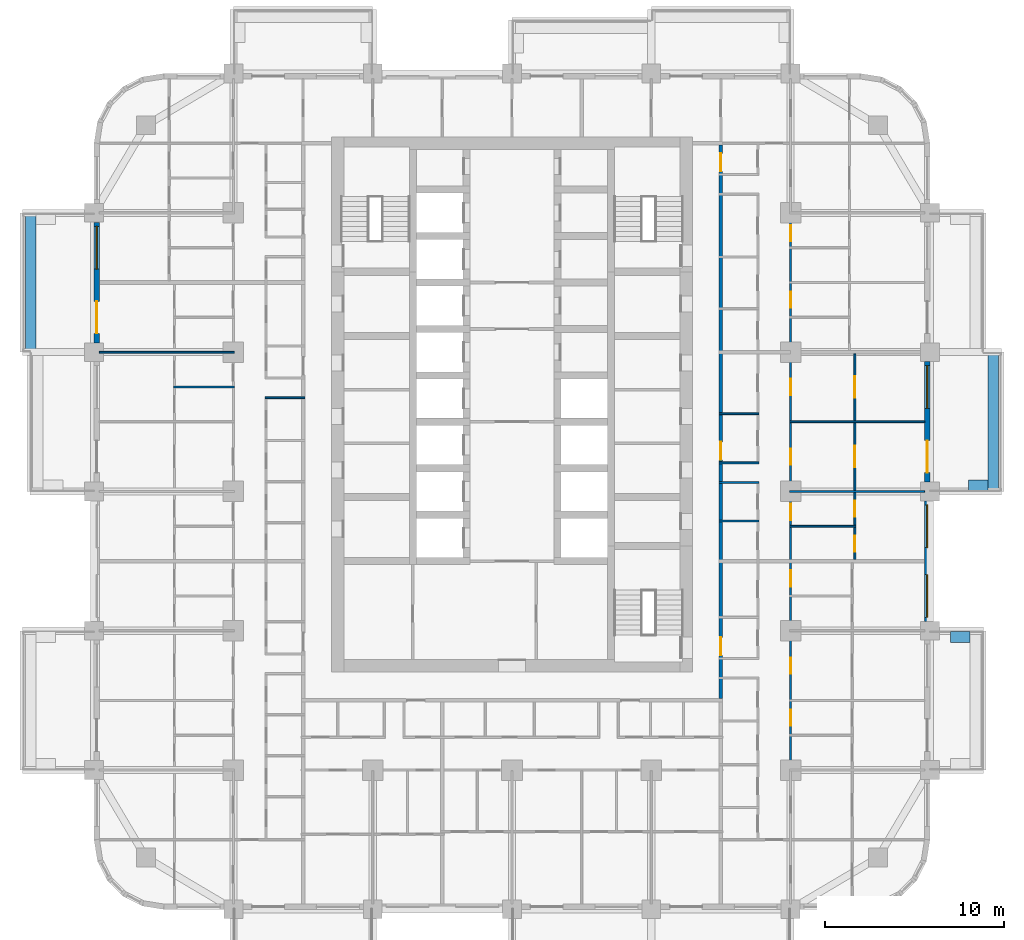
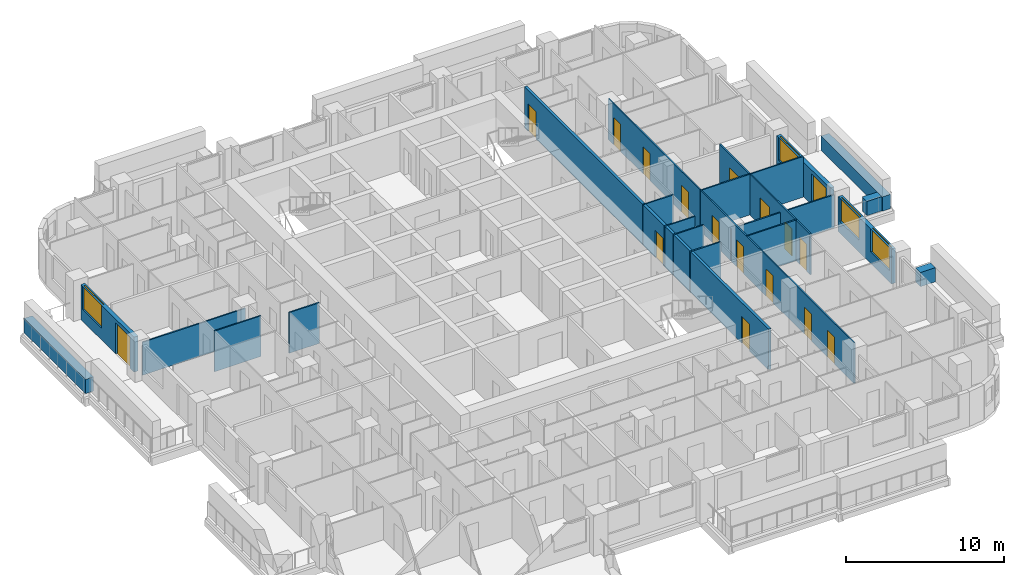
# One storey, part 9 of 18: 20 walls, 17 doors, 4 windows, 21 openings.
"""IFC4 building model written with IfcOpenShell, lengths in metres."""

import ifcopenshell
import ifcopenshell.guid

model = None  # the IFC model being written
_history = None  # IfcOwnerHistory: only IFC2X3 demands one
_inside = {}  # id of a spatial element -> (the spatial element, [elements in it])
_under = {}  # id of a project, library or spatial element -> (it, [spatial elements below it])
_declared = {}  # id of a project -> (the project, [libraries it declares])
_typed = {}  # id of a type object -> (the type object, [elements of that type])
_made_of = {}  # id of a material, layer set ... -> (it, [elements and type objects made of it])


def new_model(schema):
    """Start an empty IFC model of exactly this schema.

    Asked for "IFC4X3", IfcOpenShell would pick the latest addendum, in which some entities
    have other attributes; the version numbers below select the first issue.
    IFC2X3 requires an IfcOwnerHistory on every rooted entity: one is made here for all.
    """
    global model, _history
    if schema == "IFC4X3":
        model = ifcopenshell.file(schema_version=(4, 3, 0, 0))
    else:
        model = ifcopenshell.file(schema=schema)
    _inside.clear()
    _under.clear()
    _declared.clear()
    _typed.clear()
    _made_of.clear()
    _history = None
    if model.schema == "IFC2X3":
        org = make("IfcOrganization", Name="unknown")
        user = make(
            "IfcPersonAndOrganization",
            ThePerson=make("IfcPerson", FamilyName="unknown"),
            TheOrganization=org,
        )
        app = make(
            "IfcApplication",
            ApplicationDeveloper=org,
            Version="unknown",
            ApplicationFullName="unknown",
            ApplicationIdentifier="unknown",
        )
        _history = make(
            "IfcOwnerHistory",
            OwningUser=user,
            OwningApplication=app,
            ChangeAction="ADDED",
            CreationDate=0,
        )
    return model


def make(cls, **values):
    """One entity of the class cls with the attributes given. An attribute that is None is left unset."""
    return model.create_entity(
        cls, **{name: value for name, value in values.items() if value is not None}
    )


def rooted(cls, **values):
    """An entity with a GlobalId (a new one), such as an element, a storey or a relation."""
    return make(cls, GlobalId=ifcopenshell.guid.new(), OwnerHistory=_history, **values)


def si_unit(unit_type, name, prefix=None):
    """IfcSIUnit, for example si_unit("LENGTHUNIT", "METRE", prefix="MILLI")."""
    return make("IfcSIUnit", UnitType=unit_type, Prefix=prefix, Name=name)


def assignment(units):
    """IfcUnitAssignment: the units of a project."""
    return None if units is None else make("IfcUnitAssignment", Units=units)


def point(xyz):
    """IfcCartesianPoint."""
    return None if xyz is None else make("IfcCartesianPoint", Coordinates=xyz)


def direction(xyz):
    """IfcDirection."""
    return None if xyz is None else make("IfcDirection", DirectionRatios=xyz)


def frame(location, z_axis=None, x_axis=None):
    """IfcAxis2Placement3D, a coordinate frame: its origin and axes. An axis left out is left unset."""
    return make(
        "IfcAxis2Placement3D",
        Location=point(location),
        Axis=direction(z_axis),
        RefDirection=direction(x_axis),
    )


def frame_2d(location, x_axis=None):
    """IfcAxis2Placement2D, a coordinate frame in the plane: its origin and x axis."""
    return make(
        "IfcAxis2Placement2D", Location=point(location), RefDirection=direction(x_axis)
    )


def origin():
    """The frame at (0, 0, 0) with its axes left unset."""
    return frame((0.0, 0.0, 0.0))


def place(relative_to, where):
    """IfcLocalPlacement: puts the frame where relative to a parent placement (None: the world)."""
    return make(
        "IfcLocalPlacement", PlacementRelTo=relative_to, RelativePlacement=where
    )


def context(
    kind, dimensions, precision=None, world=None, true_north=None, identifier=None
):
    """IfcGeometricRepresentationContext, for example the 3D "Model" context."""
    return make(
        "IfcGeometricRepresentationContext",
        ContextIdentifier=identifier,
        ContextType=kind,
        CoordinateSpaceDimension=dimensions,
        Precision=precision,
        WorldCoordinateSystem=world,
        TrueNorth=true_north,
    )


def subcontext(parent, identifier, kind, view, scale=None):
    """IfcGeometricRepresentationSubContext, for example "Body" below "Model"."""
    return make(
        "IfcGeometricRepresentationSubContext",
        ContextIdentifier=identifier,
        ContextType=kind,
        ParentContext=parent,
        TargetScale=scale,
        TargetView=view,
    )


def project(units=None, contexts=None):
    """IfcProject with its units and contexts."""
    return rooted(
        "IfcProject",
        Name="project",
        RepresentationContexts=contexts,
        UnitsInContext=assignment(units),
    )


def spatial(cls, under=None, at=None, **own):
    """A site, building, storey or space (cls), placed at a placement, below another one or the project."""
    s = rooted(cls, ObjectPlacement=at, **own)
    if under is not None:
        _under.setdefault(under.id(), (under, []))[1].append(s)
    return s


def profile(cls, at=None, kind="AREA", **sizes):
    """A parametric profile (cls). Its sizes go by their IFC names, for example OverallWidth=200.0."""
    return make(cls, ProfileType=kind, Position=at, **sizes)


def rectangle(**sizes):
    """IfcRectangleProfileDef."""
    return profile("IfcRectangleProfileDef", **sizes)


def extrude(swept, where, along, depth):
    """IfcExtrudedAreaSolid: the profile swept, set in the frame where, extruded along a direction by depth."""
    return make(
        "IfcExtrudedAreaSolid",
        SweptArea=swept,
        Position=where,
        ExtrudedDirection=direction(along),
        Depth=depth,
    )


def shape(context_of_items, identifier, shape_type, items):
    """IfcShapeRepresentation: the items that make up one representation, for example the "Body"."""
    return make(
        "IfcShapeRepresentation",
        ContextOfItems=context_of_items,
        RepresentationIdentifier=identifier,
        RepresentationType=shape_type,
        Items=items,
    )


def material(Name=None, Category=None):
    """IfcMaterial."""
    return make("IfcMaterial", Name=Name, Category=Category)


def layer(
    of_material, thickness, ventilated=None, Name=None, Category=None, Priority=None
):
    """IfcMaterialLayer: one layer of a wall or slab, of a material (None: an air gap)."""
    return make(
        "IfcMaterialLayer",
        Material=of_material,
        LayerThickness=thickness,
        IsVentilated=ventilated,
        Name=Name,
        Category=Category,
        Priority=Priority,
    )


def layer_set(layers, Name=None):
    """IfcMaterialLayerSet."""
    return make("IfcMaterialLayerSet", MaterialLayers=layers, LayerSetName=Name)


def made_of(thing, what):
    """Note that an element or type object is made of a material, layer set ...; save() writes the relation."""
    if what is not None:
        _made_of.setdefault(what.id(), (what, []))[1].append(thing)
    return thing


def type_object(cls, material=None, **own):
    """A type object (cls), such as IfcWallType, which elements share."""
    return made_of(rooted(cls, **own), material)


def element(
    cls,
    number,
    at=None,
    inside=None,
    cuts=None,
    type_object=None,
    material=None,
    context=None,
    identifier="Body",
    shape_type=None,
    held_by="IfcProductDefinitionShape",
    body=None,
    shapes=None,
    **own,
):
    """One element of the class cls, such as IfcWall. Its Tag is "e" and its number.

    at: its placement. inside: the storey or other place that contains it. cuts: it is an
    opening in that element (IfcRelVoidsElement). A single representation is given by context,
    identifier, shape_type and body (its items); several are given by shapes. held_by: the class
    of the entity that holds the representations. save() writes the other relations.
    """
    e = rooted(cls, Tag="e%d" % number, ObjectPlacement=at, **own)
    if body is not None:
        shapes = [shape(context, identifier, shape_type, body)]
    if shapes is not None:
        e.Representation = make(held_by, Representations=shapes)
    if inside is not None:
        _inside.setdefault(inside.id(), (inside, []))[1].append(e)
    if cuts is not None:
        rooted(
            "IfcRelVoidsElement", RelatingBuildingElement=cuts, RelatedOpeningElement=e
        )
    if type_object is not None:
        _typed.setdefault(type_object.id(), (type_object, []))[1].append(e)
    return made_of(e, material)


def fill(opening, filler):
    """IfcRelFillsElement: the door or window that sits in an opening."""
    return rooted(
        "IfcRelFillsElement",
        RelatingOpeningElement=opening,
        RelatedBuildingElement=filler,
    )


def aggregate(whole, parts):
    """IfcRelAggregates: a whole, such as a stair, and the parts it consists of."""
    return rooted("IfcRelAggregates", RelatingObject=whole, RelatedObjects=parts)


def save(model, path):
    """Write the relations noted so far, then the file.

    IfcRelAggregates (storeys below a building ...), IfcRelContainedInSpatialStructure (elements
    in a storey), IfcRelDefinesByType, IfcRelAssociatesMaterial and IfcRelDeclares: one each for
    every whole, place, type object, material and project.
    """
    for whole, parts in _under.values():
        aggregate(whole, parts)
    for where, things in _inside.values():
        rooted(
            "IfcRelContainedInSpatialStructure",
            RelatedElements=things,
            RelatingStructure=where,
        )
    for kind, things in _typed.values():
        rooted("IfcRelDefinesByType", RelatedObjects=things, RelatingType=kind)
    for what, things in _made_of.values():
        rooted("IfcRelAssociatesMaterial", RelatedObjects=things, RelatingMaterial=what)
    for by, libraries in _declared.values():
        rooted("IfcRelDeclares", RelatingContext=by, RelatedDefinitions=libraries)
    model.write(path)


model = new_model("IFC4")

# Units and contexts
model_context = context("Model", 3, precision=1e-05, world=origin(), true_north=direction((0.0, 1.0)))
body_context = subcontext(model_context, "Body", "Model", "MODEL_VIEW")
ifc_project = project(units=[si_unit("LENGTHUNIT", "METRE"), si_unit("AREAUNIT", "SQUARE_METRE"), si_unit("VOLUMEUNIT", "CUBIC_METRE"), si_unit("PLANEANGLEUNIT", "RADIAN"), si_unit("MASSUNIT", "GRAM", prefix="KILO")], contexts=[model_context])

# Site, building, storey
site_placement = place(None, origin())
site = spatial("IfcSite", under=ifc_project, at=site_placement, CompositionType="ELEMENT")
building_placement = place(site_placement, origin())
building = spatial("IfcBuilding", under=site, at=building_placement, Name="Ludao Terraces", CompositionType="ELEMENT")
storey_placement = place(building_placement, frame((0.0, 0.0, 29.699951171875)))
storey = spatial("IfcBuildingStorey", under=building, at=storey_placement, Name="L07", CompositionType="ELEMENT", Elevation=29.699951171875)

# Walls
ifc_material_1 = material(Name="Concrete C40", Category="concrete")
ifc_layer_1 = layer(ifc_material_1, 0.60009765625)
ifc_layer_set_1 = layer_set([ifc_layer_1], Name="ENV Planter trough 600")
wall_type_1 = type_object("IfcWallType", Name="ENV Planter trough 600", PredefinedType="USERDEFINED", material=ifc_layer_set_1)
wall_1_placement = place(storey_placement, frame((110.64990234375, 56.85009765625, 0.0), z_axis=(0.0, 0.0, 1.0), x_axis=(-1.0, 0.0, 0.0)))
element("IfcWall", 1, at=wall_1_placement, inside=storey, type_object=wall_type_1, Name="PL-L07-E1-SB", ObjectType="PLANTER", PredefinedType="USERDEFINED", context=body_context, shape_type="SweptSolid", body=[
    extrude(rectangle(XDim=1.099853515625, YDim=0.60009765625, at=frame_2d((0.5498046875, 0.0))), origin(), (0.0, 0.0, 1.0), 1.10009765625),
])
wall_2_placement = place(storey_placement, frame((111.949951171875, 65.0, 0.0), z_axis=(0.0, 0.0, 1.0), x_axis=(0.0, 1.0, 0.0)))
element("IfcWall", 2, at=wall_2_placement, inside=storey, type_object=wall_type_1, Name="PL-L07-E3", ObjectType="PLANTER", PredefinedType="USERDEFINED", context=body_context, shape_type="SweptSolid", body=[
    extrude(rectangle(XDim=7.800048828125, YDim=0.60009765625, at=frame_2d((3.89990234375, 0.0))), origin(), (0.0, 0.0, 1.0), 1.10009765625),
])
wall_3_placement = place(storey_placement, frame((111.64990234375, 65.35009765625, 0.0), z_axis=(0.0, 0.0, 1.0), x_axis=(-1.0, 0.0, 0.0)))
element("IfcWall", 3, at=wall_3_placement, inside=storey, type_object=wall_type_1, Name="PL-L07-E3-SA", ObjectType="PLANTER", PredefinedType="USERDEFINED", context=body_context, shape_type="SweptSolid", body=[
    extrude(rectangle(XDim=1.099853515625, YDim=0.60009765625, at=frame_2d((0.5498046875, 0.0))), origin(), (0.0, 0.0, 1.0), 1.10009765625),
])
wall_4_placement = place(storey_placement, frame((58.050048828125, 72.800048828125, 0.0), z_axis=(0.0, 0.0, 1.0), x_axis=(0.0, 1.0, 0.0)))
element("IfcWall", 4, at=wall_4_placement, inside=storey, type_object=wall_type_1, Name="PL-L07-W4", ObjectType="PLANTER", PredefinedType="USERDEFINED", context=body_context, shape_type="SweptSolid", body=[
    extrude(rectangle(XDim=7.800048828125, YDim=0.60009765625, at=frame_2d((3.89990234375, 0.0))), origin(), (0.0, 0.0, 1.0), 1.10009765625),
])

# Wall, openings, windows
ifc_material_2 = material(Name="Granite cladding", Category="masonry")
ifc_layer_2 = layer(ifc_material_2, 0.0400390625, Category="stone")
ifc_material_3 = material(Name="Mineral wool")
ifc_layer_3 = layer(ifc_material_3, 0.06005859375)
ifc_layer_4 = layer(ifc_material_1, 0.199951171875, Category="concrete")
ifc_layer_set_2 = layer_set([ifc_layer_2, ifc_layer_3, ifc_layer_4], Name="ENV Stone-clad wall 300")
wall_type_2 = type_object("IfcWallType", Name="ENV Stone-clad wall 300", PredefinedType="SOLIDWALL", material=ifc_layer_set_2)
wall_5_placement = place(storey_placement, frame((108.25, 57.72509765625, 0.0), z_axis=(0.0, 0.0, 1.0), x_axis=(0.0, 1.0, 0.0)))
wall_5 = element("IfcWall", 5, at=wall_5_placement, inside=storey, type_object=wall_type_2, Name="EW-L07-E3", PredefinedType="SOLIDWALL", context=body_context, shape_type="SweptSolid", body=[
    extrude(rectangle(XDim=6.75, YDim=0.300048828125, at=frame_2d((3.375, 0.0))), origin(), (0.0, 0.0, 1.0), 2.699951171875),
])
opening_1_placement = place(wall_5_placement, frame((0.22509765625, 0.0, 0.89990234375)))
opening_1 = element("IfcOpeningElement", 6, at=opening_1_placement, cuts=wall_5, Name="Opening W1", PredefinedType="OPENING", context=body_context, shape_type="SweptSolid", body=[
    extrude(rectangle(XDim=2.39990234375, YDim=1.800048828125, at=frame_2d((1.199951171875, 0.89990234375))), frame((0.0, 0.16015625, 0.0), z_axis=(0.0, -1.0, 0.0), x_axis=(1.0, 0.0, 0.0)), (0.0, 0.0, 1.0), 0.320068359375),
])
opening_2_placement = place(wall_5_placement, frame((4.125, 0.0, 0.89990234375)))
opening_2 = element("IfcOpeningElement", 7, at=opening_2_placement, cuts=wall_5, Name="Opening W1", PredefinedType="OPENING", context=body_context, shape_type="SweptSolid", body=[
    extrude(rectangle(XDim=2.39990234375, YDim=1.800048828125, at=frame_2d((1.199951171875, 0.89990234375))), frame((0.0, 0.16015625, 0.0), z_axis=(0.0, -1.0, 0.0), x_axis=(1.0, 0.0, 0.0)), (0.0, 0.0, 1.0), 0.320068359375),
])
ifc_material_4 = material(Name="Clear glass in aluminium frame", Category="aluminium")
ifc_layer_5 = layer(ifc_material_4, 0.06005859375)
ifc_layer_set_3 = layer_set([ifc_layer_5], Name="ENV Window W1 2400x1800")
window_type = type_object("IfcWindowType", Name="ENV Window W1 2400x1800", PartitioningType="DOUBLE_PANEL_VERTICAL", PredefinedType="WINDOW", material=ifc_layer_set_3)
window_1_placement = place(opening_1_placement, origin())
window_1 = element("IfcWindow", 8, at=window_1_placement, inside=storey, type_object=window_type, Name="W-L07-E3-1", OverallHeight=1.800048828125, OverallWidth=2.39990234375, PartitioningType="DOUBLE_PANEL_VERTICAL", PredefinedType="WINDOW", context=body_context, shape_type="SweptSolid", body=[
    extrude(rectangle(XDim=2.39990234375, YDim=1.800048828125, at=frame_2d((1.199951171875, 0.89990234375))), frame((0.0, 0.030029296875, 0.0), z_axis=(0.0, -1.0, 0.0), x_axis=(1.0, 0.0, 0.0)), (0.0, 0.0, 1.0), 0.06005859375),
])
fill(opening_1, window_1)
window_2_placement = place(opening_2_placement, origin())
window_2 = element("IfcWindow", 9, at=window_2_placement, inside=storey, type_object=window_type, Name="W-L07-E3-2", OverallHeight=1.800048828125, OverallWidth=2.39990234375, PartitioningType="DOUBLE_PANEL_VERTICAL", PredefinedType="WINDOW", context=body_context, shape_type="SweptSolid", body=[
    extrude(rectangle(XDim=2.39990234375, YDim=1.800048828125, at=frame_2d((1.199951171875, 0.89990234375))), frame((0.0, 0.030029296875, 0.0), z_axis=(0.0, -1.0, 0.0), x_axis=(1.0, 0.0, 0.0)), (0.0, 0.0, 1.0), 0.06005859375),
])
fill(opening_2, window_2)

# Wall, openings, door, window
wall_6_placement = place(storey_placement, frame((108.25, 65.52490234375, 0.0), z_axis=(0.0, 0.0, 1.0), x_axis=(0.0, 1.0, 0.0)))
wall_6 = element("IfcWall", 10, at=wall_6_placement, inside=storey, type_object=wall_type_2, Name="EW-L07-E4", PredefinedType="SOLIDWALL", context=body_context, shape_type="SweptSolid", body=[
    extrude(rectangle(XDim=6.75, YDim=0.300048828125, at=frame_2d((3.375, 0.0))), origin(), (0.0, 0.0, 1.0), 2.699951171875),
])
opening_3_placement = place(wall_6_placement, frame((0.52490234375, 0.0, 0.0)))
opening_3 = element("IfcOpeningElement", 11, at=opening_3_placement, cuts=wall_6, Name="Opening BD", PredefinedType="OPENING", context=body_context, shape_type="SweptSolid", body=[
    extrude(rectangle(XDim=1.800048828125, YDim=2.39990234375, at=frame_2d((0.89990234375, 1.199951171875))), frame((0.0, 0.16015625, 0.0), z_axis=(0.0, -1.0, 0.0), x_axis=(1.0, 0.0, 0.0)), (0.0, 0.0, 1.0), 0.320068359375),
])
opening_4_placement = place(wall_6_placement, frame((4.125, 0.0, 0.89990234375)))
opening_4 = element("IfcOpeningElement", 12, at=opening_4_placement, cuts=wall_6, Name="Opening W1", PredefinedType="OPENING", context=body_context, shape_type="SweptSolid", body=[
    extrude(rectangle(XDim=2.39990234375, YDim=1.800048828125, at=frame_2d((1.199951171875, 0.89990234375))), frame((0.0, 0.16015625, 0.0), z_axis=(0.0, -1.0, 0.0), x_axis=(1.0, 0.0, 0.0)), (0.0, 0.0, 1.0), 0.320068359375),
])
ifc_material_5 = material(Name="Aluminium glazed door", Category="aluminium")
ifc_layer_6 = layer(ifc_material_5, 0.06005859375)
ifc_layer_set_4 = layer_set([ifc_layer_6], Name="ENV Balcony door BD 1800x2400")
door_type_1 = type_object("IfcDoorType", Name="ENV Balcony door BD 1800x2400", OperationType="DOUBLE_DOOR_SINGLE_SWING", PredefinedType="DOOR", material=ifc_layer_set_4)
door_1_placement = place(opening_3_placement, origin())
door_1 = element("IfcDoor", 13, at=door_1_placement, inside=storey, type_object=door_type_1, Name="BD-L07-E4-1", OperationType="DOUBLE_DOOR_SINGLE_SWING", OverallHeight=2.39990234375, OverallWidth=1.800048828125, PredefinedType="DOOR", context=body_context, shape_type="SweptSolid", body=[
    extrude(rectangle(XDim=1.800048828125, YDim=2.39990234375, at=frame_2d((0.89990234375, 1.199951171875))), frame((0.0, 0.02490234375, 0.0), z_axis=(0.0, -1.0, 0.0), x_axis=(1.0, 0.0, 0.0)), (0.0, 0.0, 1.0), 0.050048828125),
])
fill(opening_3, door_1)
window_3_placement = place(opening_4_placement, origin())
window_3 = element("IfcWindow", 14, at=window_3_placement, inside=storey, type_object=window_type, Name="W-L07-E4-2", OverallHeight=1.800048828125, OverallWidth=2.39990234375, PartitioningType="DOUBLE_PANEL_VERTICAL", PredefinedType="WINDOW", context=body_context, shape_type="SweptSolid", body=[
    extrude(rectangle(XDim=2.39990234375, YDim=1.800048828125, at=frame_2d((1.199951171875, 0.89990234375))), frame((0.0, 0.030029296875, 0.0), z_axis=(0.0, -1.0, 0.0), x_axis=(1.0, 0.0, 0.0)), (0.0, 0.0, 1.0), 0.06005859375),
])
fill(opening_4, window_3)

wall_7_placement = place(storey_placement, frame((61.75, 73.324951171875, 0.0), z_axis=(0.0, 0.0, 1.0), x_axis=(0.0, 1.0, 0.0)))
wall_7 = element("IfcWall", 15, at=wall_7_placement, inside=storey, type_object=wall_type_2, Name="EW-L07-W5", PredefinedType="SOLIDWALL", context=body_context, shape_type="SweptSolid", body=[
    extrude(rectangle(XDim=6.75, YDim=0.300048828125, at=frame_2d((3.375, 0.0))), origin(), (0.0, 0.0, 1.0), 2.699951171875),
])
opening_5_placement = place(wall_7_placement, frame((0.52490234375, 0.0, 0.0)))
opening_5 = element("IfcOpeningElement", 16, at=opening_5_placement, cuts=wall_7, Name="Opening BD", PredefinedType="OPENING", context=body_context, shape_type="SweptSolid", body=[
    extrude(rectangle(XDim=1.800048828125, YDim=2.39990234375, at=frame_2d((0.89990234375, 1.199951171875))), frame((0.0, 0.16015625, 0.0), z_axis=(0.0, -1.0, 0.0), x_axis=(1.0, 0.0, 0.0)), (0.0, 0.0, 1.0), 0.320068359375),
])
opening_6_placement = place(wall_7_placement, frame((4.125, 0.0, 0.89990234375)))
opening_6 = element("IfcOpeningElement", 17, at=opening_6_placement, cuts=wall_7, Name="Opening W1", PredefinedType="OPENING", context=body_context, shape_type="SweptSolid", body=[
    extrude(rectangle(XDim=2.39990234375, YDim=1.800048828125, at=frame_2d((1.199951171875, 0.89990234375))), frame((0.0, 0.16015625, 0.0), z_axis=(0.0, -1.0, 0.0), x_axis=(1.0, 0.0, 0.0)), (0.0, 0.0, 1.0), 0.320068359375),
])
door_2_placement = place(opening_5_placement, origin())
door_2 = element("IfcDoor", 18, at=door_2_placement, inside=storey, type_object=door_type_1, Name="BD-L07-W5-1", OperationType="DOUBLE_DOOR_SINGLE_SWING", OverallHeight=2.39990234375, OverallWidth=1.800048828125, PredefinedType="DOOR", context=body_context, shape_type="SweptSolid", body=[
    extrude(rectangle(XDim=1.800048828125, YDim=2.39990234375, at=frame_2d((0.89990234375, 1.199951171875))), frame((0.0, 0.02490234375, 0.0), z_axis=(0.0, -1.0, 0.0), x_axis=(1.0, 0.0, 0.0)), (0.0, 0.0, 1.0), 0.050048828125),
])
fill(opening_5, door_2)
window_4_placement = place(opening_6_placement, origin())
window_4 = element("IfcWindow", 19, at=window_4_placement, inside=storey, type_object=window_type, Name="W-L07-W5-2", OverallHeight=1.800048828125, OverallWidth=2.39990234375, PartitioningType="DOUBLE_PANEL_VERTICAL", PredefinedType="WINDOW", context=body_context, shape_type="SweptSolid", body=[
    extrude(rectangle(XDim=2.39990234375, YDim=1.800048828125, at=frame_2d((1.199951171875, 0.89990234375))), frame((0.0, 0.030029296875, 0.0), z_axis=(0.0, -1.0, 0.0), x_axis=(1.0, 0.0, 0.0)), (0.0, 0.0, 1.0), 0.06005859375),
])
fill(opening_6, window_4)

# Wall, openings, doors
ifc_material_6 = material(Name="Autoclaved aerated concrete block B06 A3.5", Category="concrete")
ifc_layer_7 = layer(ifc_material_6, 0.199951171875)
ifc_layer_set_5 = layer_set([ifc_layer_7], Name="INT Entrance wall 200")
wall_type_3 = type_object("IfcWallType", Name="INT Entrance wall 200", PredefinedType="PARTITIONING", material=ifc_layer_set_5)
wall_8_placement = place(storey_placement, frame((96.699951171875, 53.400146484375, 0.0), z_axis=(0.0, 0.0, 1.0), x_axis=(0.0, 1.0, 0.0)))
wall_8 = element("IfcWall", 20, at=wall_8_placement, inside=storey, type_object=wall_type_3, Name="PW-L07-PW116", PredefinedType="PARTITIONING", context=body_context, shape_type="SweptSolid", body=[
    extrude(rectangle(XDim=31.0, YDim=0.199951171875, at=frame_2d((15.5, 0.0))), origin(), (0.0, 0.0, 1.0), 3.150146484375),
])
opening_7_placement = place(wall_8_placement, frame((2.425048828125, 0.0, 0.0)))
opening_7 = element("IfcOpeningElement", 21, at=opening_7_placement, cuts=wall_8, Name="Opening R02-057", PredefinedType="OPENING", context=body_context, shape_type="SweptSolid", body=[
    extrude(rectangle(XDim=1.0, YDim=2.10009765625, at=frame_2d((0.5, 1.050048828125))), frame((0.0, 0.10986328125, 0.0), z_axis=(0.0, -1.0, 0.0), x_axis=(1.0, 0.0, 0.0)), (0.0, 0.0, 1.0), 0.219970703125),
])
opening_8_placement = place(wall_8_placement, frame((13.375, 0.0, 0.0)))
opening_8 = element("IfcOpeningElement", 22, at=opening_8_placement, cuts=wall_8, Name="Opening R02-093", PredefinedType="OPENING", context=body_context, shape_type="SweptSolid", body=[
    extrude(rectangle(XDim=1.0, YDim=2.10009765625, at=frame_2d((0.5, 1.050048828125))), frame((0.0, 0.10986328125, 0.0), z_axis=(0.0, -1.0, 0.0), x_axis=(1.0, 0.0, 0.0)), (0.0, 0.0, 1.0), 0.219970703125),
])
opening_9_placement = place(wall_8_placement, frame((29.52490234375, 0.0, 0.0)))
opening_9 = element("IfcOpeningElement", 23, at=opening_9_placement, cuts=wall_8, Name="Opening R02-151", PredefinedType="OPENING", context=body_context, shape_type="SweptSolid", body=[
    extrude(rectangle(XDim=1.0, YDim=2.10009765625, at=frame_2d((0.5, 1.050048828125))), frame((0.0, 0.10986328125, 0.0), z_axis=(0.0, -1.0, 0.0), x_axis=(1.0, 0.0, 0.0)), (0.0, 0.0, 1.0), 0.219970703125),
])
ifc_material_7 = material(Name="Steel Q235", Category="steel")
door_type_2 = type_object("IfcDoorType", Name="INT Flat entrance door 1000", OperationType="SINGLE_SWING_LEFT", PredefinedType="DOOR", material=ifc_material_7)
door_3_placement = place(opening_7_placement, origin())
door_3 = element("IfcDoor", 24, at=door_3_placement, inside=storey, type_object=door_type_2, Name="DOOR 057", OperationType="SINGLE_SWING_LEFT", OverallHeight=2.10009765625, OverallWidth=1.0, PredefinedType="DOOR", context=body_context, shape_type="SweptSolid", body=[
    extrude(rectangle(XDim=1.0, YDim=2.10009765625, at=frame_2d((0.5, 1.050048828125))), frame((0.0, 0.02490234375, 0.0), z_axis=(0.0, -1.0, 0.0), x_axis=(1.0, 0.0, 0.0)), (0.0, 0.0, 1.0), 0.050048828125),
])
fill(opening_7, door_3)
door_4_placement = place(opening_8_placement, origin())
door_4 = element("IfcDoor", 25, at=door_4_placement, inside=storey, type_object=door_type_2, Name="DOOR 093", OperationType="SINGLE_SWING_LEFT", OverallHeight=2.10009765625, OverallWidth=1.0, PredefinedType="DOOR", context=body_context, shape_type="SweptSolid", body=[
    extrude(rectangle(XDim=1.0, YDim=2.10009765625, at=frame_2d((0.5, 1.050048828125))), frame((0.0, 0.02490234375, 0.0), z_axis=(0.0, -1.0, 0.0), x_axis=(1.0, 0.0, 0.0)), (0.0, 0.0, 1.0), 0.050048828125),
])
fill(opening_8, door_4)
door_5_placement = place(opening_9_placement, origin())
door_5 = element("IfcDoor", 26, at=door_5_placement, inside=storey, type_object=door_type_2, Name="DOOR 151", OperationType="SINGLE_SWING_LEFT", OverallHeight=2.10009765625, OverallWidth=1.0, PredefinedType="DOOR", context=body_context, shape_type="SweptSolid", body=[
    extrude(rectangle(XDim=1.0, YDim=2.10009765625, at=frame_2d((0.5, 1.050048828125))), frame((0.0, 0.02490234375, 0.0), z_axis=(0.0, -1.0, 0.0), x_axis=(1.0, 0.0, 0.0)), (0.0, 0.0, 1.0), 0.050048828125),
])
fill(opening_9, door_5)

# Walls
ifc_material_8 = material(Name="Gypsum plasterboard", Category="gypsum")
ifc_layer_8 = layer(ifc_material_8, 0.012451171875, Category="gypsum")
ifc_layer_9 = layer(ifc_material_3, 0.06005859375, Name="insulation")
ifc_layer_10 = layer(ifc_material_7, 0.014892578125, Name="stud")
ifc_layer_11 = layer(ifc_material_8, 0.012451171875, Category="gypsum")
ifc_layer_set_6 = layer_set([ifc_layer_8, ifc_layer_9, ifc_layer_10, ifc_layer_11], Name="INT Partition 100")
wall_type_4 = type_object("IfcWallType", Name="INT Partition 100", PredefinedType="PARTITIONING", material=ifc_layer_set_6)
wall_9_placement = place(storey_placement, frame((100.550048828125, 63.050048828125, 0.0), z_axis=(0.0, 0.0, 1.0), x_axis=(1.0, 0.0, 0.0)))
element("IfcWall", 27, at=wall_9_placement, inside=storey, type_object=wall_type_4, Name="PW-L07-PW035", PredefinedType="PARTITIONING", context=body_context, shape_type="SweptSolid", body=[
    extrude(rectangle(XDim=3.699951171875, YDim=0.10009765625, at=frame_2d((1.85009765625, 0.0))), origin(), (0.0, 0.0, 1.0), 3.150146484375),
])
wall_10_placement = place(storey_placement, frame((96.60009765625, 63.35009765625, 0.0), z_axis=(0.0, 0.0, 1.0), x_axis=(1.0, 0.0, 0.0)))
element("IfcWall", 28, at=wall_10_placement, inside=storey, type_object=wall_type_4, Name="PW-L07-PW037", PredefinedType="PARTITIONING", context=body_context, shape_type="SweptSolid", body=[
    extrude(rectangle(XDim=2.219970703125, YDim=0.10009765625, at=frame_2d((1.10986328125, 0.0))), origin(), (0.0, 0.0, 1.0), 3.150146484375),
])
wall_11_placement = place(storey_placement, frame((100.550048828125, 65.0, 0.0), z_axis=(0.0, 0.0, 1.0), x_axis=(1.0, 0.0, 0.0)))
element("IfcWall", 29, at=wall_11_placement, inside=storey, type_object=wall_type_4, Name="PW-L07-PW039", PredefinedType="PARTITIONING", context=body_context, shape_type="SweptSolid", body=[
    extrude(rectangle(XDim=7.550048828125, YDim=0.10009765625, at=frame_2d((3.77490234375, 0.0))), origin(), (0.0, 0.0, 1.0), 2.550048828125),
])
for number, where, z_axis, x_axis, name in (
    (30, (96.60009765625, 65.5, 0.0), (0.0, 0.0, 1.0), (1.0, 0.0, 0.0), "PW-L07-PW040"),
    (31, (96.60009765625, 66.60009765625, 0.0), (0.0, 0.0, 1.0), (1.0, 0.0, 0.0), "PW-L07-PW042"),
):
    element("IfcWall", number, at=place(storey_placement, frame(where, z_axis=z_axis, x_axis=x_axis)), inside=storey, type_object=wall_type_4, Name=name, PredefinedType="PARTITIONING", context=body_context, shape_type="SweptSolid", body=[
        extrude(rectangle(XDim=2.219970703125, YDim=0.10009765625, at=frame_2d((1.10986328125, 0.0))), origin(), (0.0, 0.0, 1.0), 3.150146484375),
    ])
wall_12_placement = place(storey_placement, frame((100.550048828125, 68.89990234375, 0.0), z_axis=(0.0, 0.0, 1.0), x_axis=(1.0, 0.0, 0.0)))
element("IfcWall", 32, at=wall_12_placement, inside=storey, type_object=wall_type_4, Name="PW-L07-PW048", PredefinedType="PARTITIONING", context=body_context, shape_type="SweptSolid", body=[
    extrude(rectangle(XDim=7.550048828125, YDim=0.10009765625, at=frame_2d((3.77490234375, 0.0))), origin(), (0.0, 0.0, 1.0), 3.150146484375),
])
for number, where, z_axis, x_axis, name in (
    (33, (96.60009765625, 69.35009765625, 0.0), (0.0, 0.0, 1.0), (1.0, 0.0, 0.0), "PW-L07-PW049"),
    (34, (71.18017578125, 70.25, 0.0), (0.0, 0.0, 1.0), (1.0, 0.0, 0.0), "PW-L07-PW050"),
):
    element("IfcWall", number, at=place(storey_placement, frame(where, z_axis=z_axis, x_axis=x_axis)), inside=storey, type_object=wall_type_4, Name=name, PredefinedType="PARTITIONING", context=body_context, shape_type="SweptSolid", body=[
        extrude(rectangle(XDim=2.219970703125, YDim=0.10009765625, at=frame_2d((1.10986328125, 0.0))), origin(), (0.0, 0.0, 1.0), 3.150146484375),
    ])
wall_13_placement = place(storey_placement, frame((66.050048828125, 70.85009765625, 0.0), z_axis=(0.0, 0.0, 1.0), x_axis=(1.0, 0.0, 0.0)))
element("IfcWall", 35, at=wall_13_placement, inside=storey, type_object=wall_type_4, Name="PW-L07-PW053", PredefinedType="PARTITIONING", context=body_context, shape_type="SweptSolid", body=[
    extrude(rectangle(XDim=3.400146484375, YDim=0.10009765625, at=frame_2d((1.7001953125, 0.0))), origin(), (0.0, 0.0, 1.0), 3.150146484375),
])
wall_14_placement = place(storey_placement, frame((61.900146484375, 72.800048828125, 0.0), z_axis=(0.0, 0.0, 1.0), x_axis=(1.0, 0.0, 0.0)))
element("IfcWall", 36, at=wall_14_placement, inside=storey, type_object=wall_type_4, Name="PW-L07-PW055", PredefinedType="PARTITIONING", context=body_context, shape_type="SweptSolid", body=[
    extrude(rectangle(XDim=7.550048828125, YDim=0.10009765625, at=frame_2d((3.77490234375, 0.0))), origin(), (0.0, 0.0, 1.0), 2.550048828125),
])

# Wall, openings, doors
wall_15_placement = place(storey_placement, frame((100.60009765625, 49.39990234375, 0.0), z_axis=(0.0, 0.0, 1.0), x_axis=(0.0, 1.0, 0.0)))
wall_15 = element("IfcWall", 37, at=wall_15_placement, inside=storey, type_object=wall_type_4, Name="PW-L07-PW122-2", PredefinedType="PARTITIONING", context=body_context, shape_type="SweptSolid", body=[
    extrude(rectangle(XDim=31.2001953125, YDim=0.10009765625, at=frame_2d((15.60009765625, 0.0))), origin(), (0.0, 0.0, 1.0), 3.150146484375),
])
opening_10_placement = place(wall_15_placement, frame((2.47509765625, 0.0, 0.0)))
opening_10 = element("IfcOpeningElement", 38, at=opening_10_placement, cuts=wall_15, Name="Opening R02-045", PredefinedType="OPENING", context=body_context, shape_type="SweptSolid", body=[
    extrude(rectangle(XDim=0.89990234375, YDim=2.10009765625, at=frame_2d((0.449951171875, 1.050048828125))), frame((0.0, 0.06005859375, 0.0), z_axis=(0.0, -1.0, 0.0), x_axis=(1.0, 0.0, 0.0)), (0.0, 0.0, 1.0), 0.1201171875),
])
opening_11_placement = place(wall_15_placement, frame((5.400146484375, 0.0, 0.0)))
opening_11 = element("IfcOpeningElement", 39, at=opening_11_placement, cuts=wall_15, Name="Opening R02-054", PredefinedType="OPENING", context=body_context, shape_type="SweptSolid", body=[
    extrude(rectangle(XDim=0.89990234375, YDim=2.10009765625, at=frame_2d((0.449951171875, 1.050048828125))), frame((0.0, 0.06005859375, 0.0), z_axis=(0.0, -1.0, 0.0), x_axis=(1.0, 0.0, 0.0)), (0.0, 0.0, 1.0), 0.1201171875),
])
opening_12_placement = place(wall_15_placement, frame((10.275146484375, 0.0, 0.0)))
opening_12 = element("IfcOpeningElement", 40, at=opening_12_placement, cuts=wall_15, Name="Opening R02-069", PredefinedType="OPENING", context=body_context, shape_type="SweptSolid", body=[
    extrude(rectangle(XDim=0.89990234375, YDim=2.10009765625, at=frame_2d((0.449951171875, 1.050048828125))), frame((0.0, 0.06005859375, 0.0), z_axis=(0.0, -1.0, 0.0), x_axis=(1.0, 0.0, 0.0)), (0.0, 0.0, 1.0), 0.1201171875),
])
opening_13_placement = place(wall_15_placement, frame((14.000244140625, 0.0, 0.0)))
opening_13 = element("IfcOpeningElement", 41, at=opening_13_placement, cuts=wall_15, Name="Opening R02-080", PredefinedType="OPENING", context=body_context, shape_type="SweptSolid", body=[
    extrude(rectangle(XDim=0.89990234375, YDim=2.10009765625, at=frame_2d((0.449951171875, 1.050048828125))), frame((0.0, 0.06005859375, 0.0), z_axis=(0.0, -1.0, 0.0), x_axis=(1.0, 0.0, 0.0)), (0.0, 0.0, 1.0), 0.1201171875),
])
opening_14_placement = place(wall_15_placement, frame((17.10009765625, 0.0, 0.0)))
opening_14 = element("IfcOpeningElement", 42, at=opening_14_placement, cuts=wall_15, Name="Opening R02-091", PredefinedType="OPENING", context=body_context, shape_type="SweptSolid", body=[
    extrude(rectangle(XDim=0.89990234375, YDim=2.10009765625, at=frame_2d((0.449951171875, 1.050048828125))), frame((0.0, 0.06005859375, 0.0), z_axis=(0.0, -1.0, 0.0), x_axis=(1.0, 0.0, 0.0)), (0.0, 0.0, 1.0), 0.1201171875),
])
opening_15_placement = place(wall_15_placement, frame((21.000244140625, 0.0, 0.0)))
opening_15 = element("IfcOpeningElement", 43, at=opening_15_placement, cuts=wall_15, Name="Opening R02-102", PredefinedType="OPENING", context=body_context, shape_type="SweptSolid", body=[
    extrude(rectangle(XDim=0.89990234375, YDim=2.10009765625, at=frame_2d((0.449951171875, 1.050048828125))), frame((0.0, 0.06005859375, 0.0), z_axis=(0.0, -1.0, 0.0), x_axis=(1.0, 0.0, 0.0)), (0.0, 0.0, 1.0), 0.1201171875),
])
opening_16_placement = place(wall_15_placement, frame((25.875244140625, 0.0, 0.0)))
opening_16 = element("IfcOpeningElement", 44, at=opening_16_placement, cuts=wall_15, Name="Opening R02-124", PredefinedType="OPENING", context=body_context, shape_type="SweptSolid", body=[
    extrude(rectangle(XDim=0.89990234375, YDim=2.10009765625, at=frame_2d((0.449951171875, 1.050048828125))), frame((0.0, 0.06005859375, 0.0), z_axis=(0.0, -1.0, 0.0), x_axis=(1.0, 0.0, 0.0)), (0.0, 0.0, 1.0), 0.1201171875),
])
opening_17_placement = place(wall_15_placement, frame((29.60009765625, 0.0, 0.0)))
opening_17 = element("IfcOpeningElement", 45, at=opening_17_placement, cuts=wall_15, Name="Opening R02-136", PredefinedType="OPENING", context=body_context, shape_type="SweptSolid", body=[
    extrude(rectangle(XDim=0.89990234375, YDim=2.10009765625, at=frame_2d((0.449951171875, 1.050048828125))), frame((0.0, 0.06005859375, 0.0), z_axis=(0.0, -1.0, 0.0), x_axis=(1.0, 0.0, 0.0)), (0.0, 0.0, 1.0), 0.1201171875),
])
ifc_material_9 = material(Name="Timber door leaf", Category="wood")
door_type_3 = type_object("IfcDoorType", Name="INT Room door 900", OperationType="SINGLE_SWING_LEFT", PredefinedType="DOOR", material=ifc_material_9)
door_6_placement = place(opening_10_placement, origin())
door_6 = element("IfcDoor", 46, at=door_6_placement, inside=storey, type_object=door_type_3, Name="DOOR 045", OperationType="SINGLE_SWING_RIGHT", OverallHeight=2.10009765625, OverallWidth=0.89990234375, PredefinedType="DOOR", context=body_context, shape_type="SweptSolid", body=[
    extrude(rectangle(XDim=0.89990234375, YDim=2.10009765625, at=frame_2d((0.449951171875, 1.050048828125))), frame((0.0, 0.02490234375, 0.0), z_axis=(0.0, -1.0, 0.0), x_axis=(1.0, 0.0, 0.0)), (0.0, 0.0, 1.0), 0.050048828125),
])
fill(opening_10, door_6)
door_7_placement = place(opening_11_placement, origin())
door_7 = element("IfcDoor", 47, at=door_7_placement, inside=storey, type_object=door_type_3, Name="DOOR 054", OperationType="SINGLE_SWING_RIGHT", OverallHeight=2.10009765625, OverallWidth=0.89990234375, PredefinedType="DOOR", context=body_context, shape_type="SweptSolid", body=[
    extrude(rectangle(XDim=0.89990234375, YDim=2.10009765625, at=frame_2d((0.449951171875, 1.050048828125))), frame((0.0, 0.02490234375, 0.0), z_axis=(0.0, -1.0, 0.0), x_axis=(1.0, 0.0, 0.0)), (0.0, 0.0, 1.0), 0.050048828125),
])
fill(opening_11, door_7)
door_8_placement = place(opening_12_placement, origin())
door_8 = element("IfcDoor", 48, at=door_8_placement, inside=storey, type_object=door_type_3, Name="DOOR 069", OperationType="SINGLE_SWING_LEFT", OverallHeight=2.10009765625, OverallWidth=0.89990234375, PredefinedType="DOOR", context=body_context, shape_type="SweptSolid", body=[
    extrude(rectangle(XDim=0.89990234375, YDim=2.10009765625, at=frame_2d((0.449951171875, 1.050048828125))), frame((0.0, 0.02490234375, 0.0), z_axis=(0.0, -1.0, 0.0), x_axis=(1.0, 0.0, 0.0)), (0.0, 0.0, 1.0), 0.050048828125),
])
fill(opening_12, door_8)
door_9_placement = place(opening_13_placement, origin())
door_9 = element("IfcDoor", 49, at=door_9_placement, inside=storey, type_object=door_type_3, Name="DOOR 080", OperationType="SINGLE_SWING_RIGHT", OverallHeight=2.10009765625, OverallWidth=0.89990234375, PredefinedType="DOOR", context=body_context, shape_type="SweptSolid", body=[
    extrude(rectangle(XDim=0.89990234375, YDim=2.10009765625, at=frame_2d((0.449951171875, 1.050048828125))), frame((0.0, 0.02490234375, 0.0), z_axis=(0.0, -1.0, 0.0), x_axis=(1.0, 0.0, 0.0)), (0.0, 0.0, 1.0), 0.050048828125),
])
fill(opening_13, door_9)
door_10_placement = place(opening_14_placement, origin())
door_10 = element("IfcDoor", 50, at=door_10_placement, inside=storey, type_object=door_type_3, Name="DOOR 091", OperationType="SINGLE_SWING_RIGHT", OverallHeight=2.10009765625, OverallWidth=0.89990234375, PredefinedType="DOOR", context=body_context, shape_type="SweptSolid", body=[
    extrude(rectangle(XDim=0.89990234375, YDim=2.10009765625, at=frame_2d((0.449951171875, 1.050048828125))), frame((0.0, 0.02490234375, 0.0), z_axis=(0.0, -1.0, 0.0), x_axis=(1.0, 0.0, 0.0)), (0.0, 0.0, 1.0), 0.050048828125),
])
fill(opening_14, door_10)
door_11_placement = place(opening_15_placement, origin())
door_11 = element("IfcDoor", 51, at=door_11_placement, inside=storey, type_object=door_type_3, Name="DOOR 102", OperationType="SINGLE_SWING_RIGHT", OverallHeight=2.10009765625, OverallWidth=0.89990234375, PredefinedType="DOOR", context=body_context, shape_type="SweptSolid", body=[
    extrude(rectangle(XDim=0.89990234375, YDim=2.10009765625, at=frame_2d((0.449951171875, 1.050048828125))), frame((0.0, 0.02490234375, 0.0), z_axis=(0.0, -1.0, 0.0), x_axis=(1.0, 0.0, 0.0)), (0.0, 0.0, 1.0), 0.050048828125),
])
fill(opening_15, door_11)
door_12_placement = place(opening_16_placement, origin())
door_12 = element("IfcDoor", 52, at=door_12_placement, inside=storey, type_object=door_type_3, Name="DOOR 124", OperationType="SINGLE_SWING_LEFT", OverallHeight=2.10009765625, OverallWidth=0.89990234375, PredefinedType="DOOR", context=body_context, shape_type="SweptSolid", body=[
    extrude(rectangle(XDim=0.89990234375, YDim=2.10009765625, at=frame_2d((0.449951171875, 1.050048828125))), frame((0.0, 0.02490234375, 0.0), z_axis=(0.0, -1.0, 0.0), x_axis=(1.0, 0.0, 0.0)), (0.0, 0.0, 1.0), 0.050048828125),
])
fill(opening_16, door_12)
door_13_placement = place(opening_17_placement, origin())
door_13 = element("IfcDoor", 53, at=door_13_placement, inside=storey, type_object=door_type_3, Name="DOOR 136", OperationType="SINGLE_SWING_RIGHT", OverallHeight=2.10009765625, OverallWidth=0.89990234375, PredefinedType="DOOR", context=body_context, shape_type="SweptSolid", body=[
    extrude(rectangle(XDim=0.89990234375, YDim=2.10009765625, at=frame_2d((0.449951171875, 1.050048828125))), frame((0.0, 0.02490234375, 0.0), z_axis=(0.0, -1.0, 0.0), x_axis=(1.0, 0.0, 0.0)), (0.0, 0.0, 1.0), 0.050048828125),
])
fill(opening_17, door_13)

wall_16_placement = place(storey_placement, frame((104.199951171875, 61.2001953125, 0.0), z_axis=(0.0, 0.0, 1.0), x_axis=(0.0, 1.0, 0.0)))
wall_16 = element("IfcWall", 54, at=wall_16_placement, inside=storey, type_object=wall_type_4, Name="PW-L07-PW125", PredefinedType="PARTITIONING", context=body_context, shape_type="SweptSolid", body=[
    extrude(rectangle(XDim=11.5, YDim=0.10009765625, at=frame_2d((5.75, 0.0))), origin(), (0.0, 0.0, 1.0), 3.150146484375),
])
opening_18_placement = place(wall_16_placement, frame((0.4248046875, 0.0, 0.0)))
opening_18 = element("IfcOpeningElement", 55, at=opening_18_placement, cuts=wall_16, Name="Opening R02-073", PredefinedType="OPENING", context=body_context, shape_type="SweptSolid", body=[
    extrude(rectangle(XDim=0.89990234375, YDim=2.10009765625, at=frame_2d((0.449951171875, 1.050048828125))), frame((0.0, 0.06005859375, 0.0), z_axis=(0.0, -1.0, 0.0), x_axis=(1.0, 0.0, 0.0)), (0.0, 0.0, 1.0), 0.1201171875),
])
opening_19_placement = place(wall_16_placement, frame((2.375, 0.0, 0.0)))
opening_19 = element("IfcOpeningElement", 56, at=opening_19_placement, cuts=wall_16, Name="Opening R02-082", PredefinedType="OPENING", context=body_context, shape_type="SweptSolid", body=[
    extrude(rectangle(XDim=0.89990234375, YDim=2.10009765625, at=frame_2d((0.449951171875, 1.050048828125))), frame((0.0, 0.06005859375, 0.0), z_axis=(0.0, -1.0, 0.0), x_axis=(1.0, 0.0, 0.0)), (0.0, 0.0, 1.0), 0.1201171875),
])
opening_20_placement = place(wall_16_placement, frame((5.14990234375, 0.0, 0.0)))
opening_20 = element("IfcOpeningElement", 57, at=opening_20_placement, cuts=wall_16, Name="Opening R02-092", PredefinedType="OPENING", context=body_context, shape_type="SweptSolid", body=[
    extrude(rectangle(XDim=1.199951171875, YDim=2.10009765625, at=frame_2d((0.60009765625, 1.050048828125))), frame((0.0, 0.06005859375, 0.0), z_axis=(0.0, -1.0, 0.0), x_axis=(1.0, 0.0, 0.0)), (0.0, 0.0, 1.0), 0.1201171875),
])
opening_21_placement = place(wall_16_placement, frame((9.0498046875, 0.0, 0.0)))
opening_21 = element("IfcOpeningElement", 58, at=opening_21_placement, cuts=wall_16, Name="Opening R02-103", PredefinedType="OPENING", context=body_context, shape_type="SweptSolid", body=[
    extrude(rectangle(XDim=1.199951171875, YDim=2.10009765625, at=frame_2d((0.60009765625, 1.050048828125))), frame((0.0, 0.06005859375, 0.0), z_axis=(0.0, -1.0, 0.0), x_axis=(1.0, 0.0, 0.0)), (0.0, 0.0, 1.0), 0.1201171875),
])
door_type_4 = type_object("IfcDoorType", Name="INT Bathroom door 900", OperationType="SINGLE_SWING_LEFT", PredefinedType="DOOR", material=ifc_material_9)
door_14_placement = place(opening_18_placement, origin())
door_14 = element("IfcDoor", 59, at=door_14_placement, inside=storey, type_object=door_type_4, Name="DOOR 073", OperationType="SINGLE_SWING_LEFT", OverallHeight=2.10009765625, OverallWidth=0.89990234375, PredefinedType="DOOR", context=body_context, shape_type="SweptSolid", body=[
    extrude(rectangle(XDim=0.89990234375, YDim=2.10009765625, at=frame_2d((0.449951171875, 1.050048828125))), frame((0.0, 0.02490234375, 0.0), z_axis=(0.0, -1.0, 0.0), x_axis=(1.0, 0.0, 0.0)), (0.0, 0.0, 1.0), 0.050048828125),
])
fill(opening_18, door_14)
door_type_5 = type_object("IfcDoorType", Name="INT Double door 1200", OperationType="DOUBLE_DOOR_SINGLE_SWING", PredefinedType="DOOR", material=ifc_material_9)
door_15_placement = place(opening_20_placement, origin())
door_15 = element("IfcDoor", 60, at=door_15_placement, inside=storey, type_object=door_type_5, Name="DOOR 092", OperationType="DOUBLE_DOOR_SINGLE_SWING", OverallHeight=2.10009765625, OverallWidth=1.199951171875, PredefinedType="DOOR", context=body_context, shape_type="SweptSolid", body=[
    extrude(rectangle(XDim=1.199951171875, YDim=2.10009765625, at=frame_2d((0.60009765625, 1.050048828125))), frame((0.0, 0.02490234375, 0.0), z_axis=(0.0, -1.0, 0.0), x_axis=(1.0, 0.0, 0.0)), (0.0, 0.0, 1.0), 0.050048828125),
])
fill(opening_20, door_15)
door_16_placement = place(opening_21_placement, origin())
door_16 = element("IfcDoor", 61, at=door_16_placement, inside=storey, type_object=door_type_5, Name="DOOR 103", OperationType="DOUBLE_DOOR_SINGLE_SWING", OverallHeight=2.10009765625, OverallWidth=1.199951171875, PredefinedType="DOOR", context=body_context, shape_type="SweptSolid", body=[
    extrude(rectangle(XDim=1.199951171875, YDim=2.10009765625, at=frame_2d((0.60009765625, 1.050048828125))), frame((0.0, 0.02490234375, 0.0), z_axis=(0.0, -1.0, 0.0), x_axis=(1.0, 0.0, 0.0)), (0.0, 0.0, 1.0), 0.050048828125),
])
fill(opening_21, door_16)
door_17_placement = place(opening_19_placement, origin())
door_17 = element("IfcDoor", 62, at=door_17_placement, inside=storey, type_object=door_type_3, Name="DOOR 082", OperationType="SINGLE_SWING_LEFT", OverallHeight=2.10009765625, OverallWidth=0.89990234375, PredefinedType="DOOR", context=body_context, shape_type="SweptSolid", body=[
    extrude(rectangle(XDim=0.89990234375, YDim=2.10009765625, at=frame_2d((0.449951171875, 1.050048828125))), frame((0.0, 0.02490234375, 0.0), z_axis=(0.0, -1.0, 0.0), x_axis=(1.0, 0.0, 0.0)), (0.0, 0.0, 1.0), 0.050048828125),
])
fill(opening_19, door_17)

save(model, "model.ifc")
